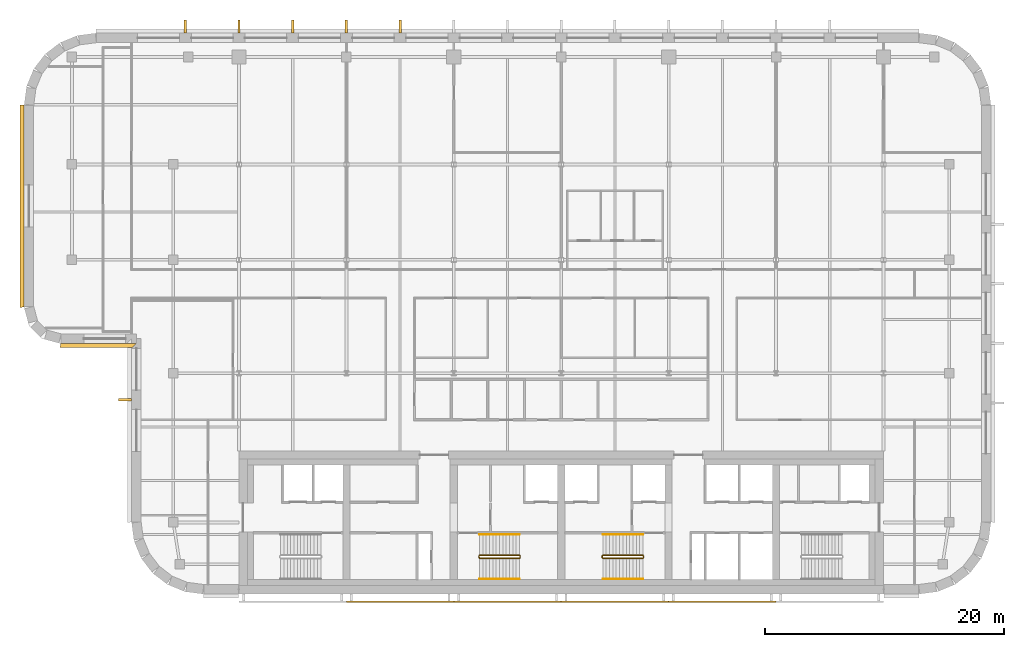
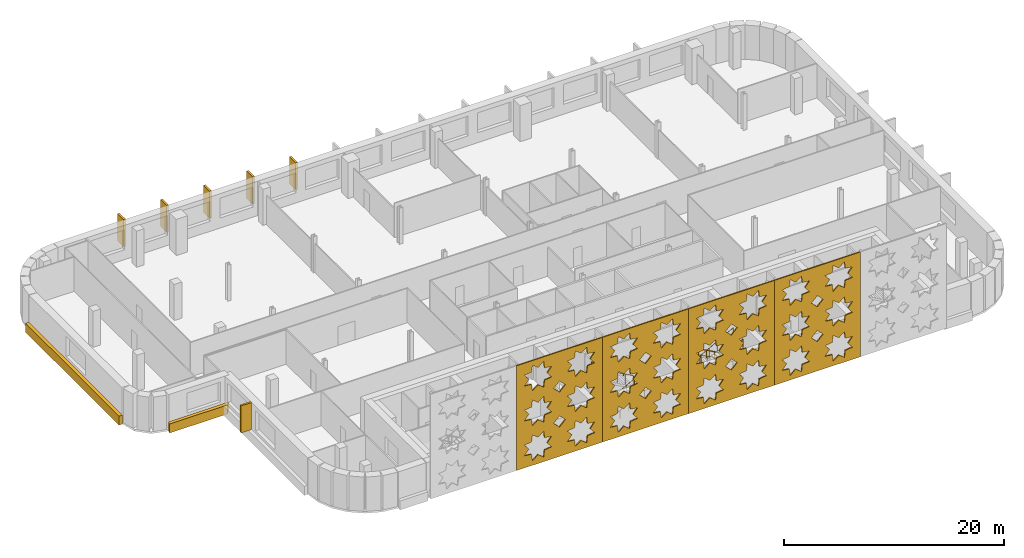
# One storey, part 14 of 17: 12 coverings, 6 railings.
"""IFC4 building model written with IfcOpenShell, lengths in metres."""

from ifc_helpers import new_model, si_unit, direction, frame, origin, origin_2d, place, context, subcontext, project, spatial, polyline, circle, outline, extrude, material, layer, layer_set, type_object, element, save


model = new_model("IFC4")

# Units and contexts
model_context = context("Model", 3, precision=1e-05, world=origin(), true_north=direction((0.0, 1.0)))
body_context = subcontext(model_context, "Body", "Model", "MODEL_VIEW")
ifc_project = project(units=[si_unit("LENGTHUNIT", "METRE"), si_unit("AREAUNIT", "SQUARE_METRE"), si_unit("VOLUMEUNIT", "CUBIC_METRE"), si_unit("PLANEANGLEUNIT", "RADIAN"), si_unit("MASSUNIT", "GRAM", prefix="KILO")], contexts=[model_context])

# Site, building, storey
site_placement = place(None, origin())
site = spatial("IfcSite", under=ifc_project, at=site_placement, CompositionType="ELEMENT")
building_placement = place(site_placement, origin())
building = spatial("IfcBuilding", under=site, at=building_placement, Name="Zellij Exchange Tower", CompositionType="ELEMENT")
storey_placement = place(building_placement, frame((0.0, 0.0, 252.5)))
storey = spatial("IfcBuildingStorey", under=building, at=storey_placement, Name="L59", CompositionType="ELEMENT", Elevation=252.5)

# Railings
ifc_material_1 = material(Name="Stainless steel", Category="steel")
railing_type_1 = type_object("IfcRailingType", Name="CORE-RG stair guard", PredefinedType="GUARDRAIL", material=ifc_material_1)
railing_1_placement = place(storey_placement, frame((-6.89990234375, -10.949951171875, 0.0)))
element("IfcRailing", 1, at=railing_1_placement, inside=storey, type_object=railing_type_1, Name="ST2 stair guard L59", PredefinedType="GUARDRAIL", context=body_context, shape_type="SweptSolid", body=[
    extrude(circle(Radius=0.02392578125, at=origin_2d()), frame((0.0, 0.0, 1.076171875), z_axis=(0.0, 1.0, 0.0), x_axis=(-1.0, 0.0, 0.0)), (0.0, 0.0, 1.0), 0.14990234375),
    extrude(circle(Radius=0.02392578125, at=origin_2d()), frame((0.0, 0.14990234375, 1.076171875), z_axis=(0.193691321961, -0.777613689637, 0.598164376644), x_axis=(0.970351222016, 0.241699205484, 0.0)), (0.0, 0.0, 1.0), 0.257080078125),
    extrude(circle(Radius=0.02392578125, at=origin_2d()), frame((0.0498046875, -0.050048828125, 1.22998046875), z_axis=(0.876421534553, 0.0, 0.481544695509), x_axis=(0.0, 1.0, 0.0)), (0.0, 0.0, 1.0), 3.833984375),
    extrude(circle(Radius=0.02392578125, at=origin_2d()), frame((3.409912109375, -0.050048828125, 3.076171875), z_axis=(0.707106781187, 0.707106781187, 0.0), x_axis=(-0.707106781187, 0.707106781187, 0.0)), (0.0, 0.0, 1.0), 0.07080078125),
    extrude(circle(Radius=0.02392578125, at=origin_2d()), frame((3.4599609375, 0.0, 3.076171875), z_axis=(0.0, 1.0, 0.0), x_axis=(-1.0, 0.0, 0.0)), (0.0, 0.0, 1.0), 0.14990234375),
    extrude(circle(Radius=0.02392578125, at=origin_2d()), frame((3.4599609375, 0.14990234375, 3.076171875), z_axis=(-0.295599637079, 0.295599637079, 0.908428152975), x_axis=(-0.707106781187, -0.707106781187, 0.0)), (0.0, 0.0, 1.0), 0.16943359375),
    extrude(circle(Radius=0.02392578125, at=origin_2d()), frame((3.409912109375, 0.199951171875, 3.22998046875), z_axis=(-0.876421534553, 0.0, 0.481544695509), x_axis=(0.0, -1.0, 0.0)), (0.0, 0.0, 1.0), 3.833984375),
    extrude(circle(Radius=0.02099609375, at=origin_2d()), origin(), (0.0, 0.0, 1.0), 1.052001953125),
    extrude(circle(Radius=0.02099609375, at=origin_2d()), frame((0.0, 0.14990234375, 0.0)), (0.0, 0.0, 1.0), 1.052001953125),
    extrude(circle(Radius=0.02099609375, at=origin_2d()), frame((0.0498046875, -0.050048828125, 0.15380859375)), (0.0, 0.0, 1.0), 1.052001953125),
    extrude(circle(Radius=0.02099609375, at=origin_2d()), frame((0.889892578125, -0.050048828125, 0.615234375)), (0.0, 0.0, 1.0), 1.052001953125),
    extrude(circle(Radius=0.02099609375, at=origin_2d()), frame((1.72998046875, -0.050048828125, 1.076904296875)), (0.0, 0.0, 1.0), 1.052001953125),
    extrude(circle(Radius=0.02099609375, at=origin_2d()), frame((2.56982421875, -0.050048828125, 1.53857421875)), (0.0, 0.0, 1.0), 1.052001953125),
    extrude(circle(Radius=0.02099609375, at=origin_2d()), frame((3.409912109375, -0.050048828125, 2.0)), (0.0, 0.0, 1.0), 1.052001953125),
    extrude(circle(Radius=0.02099609375, at=origin_2d()), frame((3.4599609375, 0.0, 2.0)), (0.0, 0.0, 1.0), 1.052001953125),
    extrude(circle(Radius=0.02099609375, at=origin_2d()), frame((3.4599609375, 0.14990234375, 2.0)), (0.0, 0.0, 1.0), 1.052001953125),
    extrude(circle(Radius=0.02099609375, at=origin_2d()), frame((3.409912109375, 0.199951171875, 2.15380859375)), (0.0, 0.0, 1.0), 1.052001953125),
    extrude(circle(Radius=0.02099609375, at=origin_2d()), frame((2.56982421875, 0.199951171875, 2.615234375)), (0.0, 0.0, 1.0), 1.052001953125),
    extrude(circle(Radius=0.02099609375, at=origin_2d()), frame((1.72998046875, 0.199951171875, 3.076904296875)), (0.0, 0.0, 1.0), 1.052001953125),
    extrude(circle(Radius=0.02099609375, at=origin_2d()), frame((0.889892578125, 0.199951171875, 3.53857421875)), (0.0, 0.0, 1.0), 1.052001953125),
    extrude(circle(Radius=0.02099609375, at=origin_2d()), frame((0.0498046875, 0.199951171875, 4.0)), (0.0, 0.0, 1.0), 1.052001953125),
])
railing_2_placement = place(storey_placement, frame((6.89990234375, -10.800048828125, 0.0)))
element("IfcRailing", 2, at=railing_2_placement, inside=storey, type_object=railing_type_1, Name="ST3 stair guard L59", PredefinedType="GUARDRAIL", context=body_context, shape_type="SweptSolid", body=[
    extrude(circle(Radius=0.02392578125, at=origin_2d()), frame((0.0, 0.0, 1.076171875), z_axis=(0.0, -1.0, 0.0), x_axis=(1.0, 0.0, 0.0)), (0.0, 0.0, 1.0), 0.14990234375),
    extrude(circle(Radius=0.02392578125, at=origin_2d()), frame((0.0, -0.14990234375, 1.076171875), z_axis=(-0.193691321961, 0.777613689637, 0.598164376644), x_axis=(-0.970351222016, -0.241699205484, 0.0)), (0.0, 0.0, 1.0), 0.257080078125),
    extrude(circle(Radius=0.02392578125, at=origin_2d()), frame((-0.0498046875, 0.050048828125, 1.22998046875), z_axis=(-0.876421534553, 0.0, 0.481544695509), x_axis=(0.0, -1.0, 0.0)), (0.0, 0.0, 1.0), 3.833984375),
    extrude(circle(Radius=0.02392578125, at=origin_2d()), frame((-3.409912109375, 0.050048828125, 3.076171875), z_axis=(-0.707106781187, -0.707106781187, 0.0), x_axis=(0.707106781187, -0.707106781187, 0.0)), (0.0, 0.0, 1.0), 0.07080078125),
    extrude(circle(Radius=0.02392578125, at=origin_2d()), frame((-3.4599609375, 0.0, 3.076171875), z_axis=(0.0, -1.0, 0.0), x_axis=(1.0, 0.0, 0.0)), (0.0, 0.0, 1.0), 0.14990234375),
    extrude(circle(Radius=0.02392578125, at=origin_2d()), frame((-3.4599609375, -0.14990234375, 3.076171875), z_axis=(0.295599637079, -0.295599637079, 0.908428152975), x_axis=(0.707106781187, 0.707106781187, 0.0)), (0.0, 0.0, 1.0), 0.16943359375),
    extrude(circle(Radius=0.02392578125, at=origin_2d()), frame((-3.409912109375, -0.199951171875, 3.22998046875), z_axis=(0.876421534553, 0.0, 0.481544695509), x_axis=(0.0, 1.0, 0.0)), (0.0, 0.0, 1.0), 3.833984375),
    extrude(circle(Radius=0.02099609375, at=origin_2d()), origin(), (0.0, 0.0, 1.0), 1.052001953125),
    extrude(circle(Radius=0.02099609375, at=origin_2d()), frame((0.0, -0.14990234375, 0.0)), (0.0, 0.0, 1.0), 1.052001953125),
    extrude(circle(Radius=0.02099609375, at=origin_2d()), frame((-0.0498046875, 0.050048828125, 0.15380859375)), (0.0, 0.0, 1.0), 1.052001953125),
    extrude(circle(Radius=0.02099609375, at=origin_2d()), frame((-0.889892578125, 0.050048828125, 0.615234375)), (0.0, 0.0, 1.0), 1.052001953125),
    extrude(circle(Radius=0.02099609375, at=origin_2d()), frame((-1.72998046875, 0.050048828125, 1.076904296875)), (0.0, 0.0, 1.0), 1.052001953125),
    extrude(circle(Radius=0.02099609375, at=origin_2d()), frame((-2.56982421875, 0.050048828125, 1.53857421875)), (0.0, 0.0, 1.0), 1.052001953125),
    extrude(circle(Radius=0.02099609375, at=origin_2d()), frame((-3.409912109375, 0.050048828125, 2.0)), (0.0, 0.0, 1.0), 1.052001953125),
    extrude(circle(Radius=0.02099609375, at=origin_2d()), frame((-3.4599609375, 0.0, 2.0)), (0.0, 0.0, 1.0), 1.052001953125),
    extrude(circle(Radius=0.02099609375, at=origin_2d()), frame((-3.4599609375, -0.14990234375, 2.0)), (0.0, 0.0, 1.0), 1.052001953125),
    extrude(circle(Radius=0.02099609375, at=origin_2d()), frame((-3.409912109375, -0.199951171875, 2.15380859375)), (0.0, 0.0, 1.0), 1.052001953125),
    extrude(circle(Radius=0.02099609375, at=origin_2d()), frame((-2.56982421875, -0.199951171875, 2.615234375)), (0.0, 0.0, 1.0), 1.052001953125),
    extrude(circle(Radius=0.02099609375, at=origin_2d()), frame((-1.72998046875, -0.199951171875, 3.076904296875)), (0.0, 0.0, 1.0), 1.052001953125),
    extrude(circle(Radius=0.02099609375, at=origin_2d()), frame((-0.889892578125, -0.199951171875, 3.53857421875)), (0.0, 0.0, 1.0), 1.052001953125),
    extrude(circle(Radius=0.02099609375, at=origin_2d()), frame((-0.0498046875, -0.199951171875, 4.0)), (0.0, 0.0, 1.0), 1.052001953125),
])
railing_type_2 = type_object("IfcRailingType", Name="CORE-RH stair handrail", PredefinedType="HANDRAIL", material=ifc_material_1)
railing_3_placement = place(storey_placement, frame((-6.85009765625, -12.75, 0.15380859375)))
element("IfcRailing", 3, at=railing_3_placement, inside=storey, type_object=railing_type_2, Name="ST2 stair handrail L59", PredefinedType="HANDRAIL", context=body_context, shape_type="SweptSolid", body=[
    extrude(circle(Radius=0.02392578125, at=origin_2d()), frame((0.0, 0.0, 0.8759765625), z_axis=(0.876421534553, 0.0, 0.481544695509), x_axis=(0.0, 1.0, 0.0)), (0.0, 0.0, 1.0), 3.833984375),
    extrude(circle(Radius=0.02099609375, at=origin_2d()), origin(), (0.0, 0.0, 1.0), 0.851806640625),
    extrude(circle(Radius=0.02099609375, at=origin_2d()), frame((0.840087890625, 0.0, 0.46142578125)), (0.0, 0.0, 1.0), 0.851806640625),
    extrude(circle(Radius=0.02099609375, at=origin_2d()), frame((1.68017578125, 0.0, 0.923095703125)), (0.0, 0.0, 1.0), 0.851806640625),
    extrude(circle(Radius=0.02099609375, at=origin_2d()), frame((2.52001953125, 0.0, 1.384765625)), (0.0, 0.0, 1.0), 0.851806640625),
    extrude(circle(Radius=0.02099609375, at=origin_2d()), frame((3.360107421875, 0.0, 1.84619140625)), (0.0, 0.0, 1.0), 0.851806640625),
])
for number, where, name in (
    (4, (-3.489990234375, -9.0, 2.15380859375), "ST2 stair handrail L59"),
    (5, (6.85009765625, -9.0, 0.15380859375), "ST3 stair handrail L59"),
):
    element("IfcRailing", number, at=place(storey_placement, frame(where)), inside=storey, type_object=railing_type_2, Name=name, PredefinedType="HANDRAIL", context=body_context, shape_type="SweptSolid", body=[
        extrude(circle(Radius=0.02392578125, at=origin_2d()), frame((0.0, 0.0, 0.8759765625), z_axis=(-0.876421534553, 0.0, 0.481544695509), x_axis=(0.0, -1.0, 0.0)), (0.0, 0.0, 1.0), 3.833984375),
        extrude(circle(Radius=0.02099609375, at=origin_2d()), origin(), (0.0, 0.0, 1.0), 0.851806640625),
        extrude(circle(Radius=0.02099609375, at=origin_2d()), frame((-0.840087890625, 0.0, 0.46142578125)), (0.0, 0.0, 1.0), 0.851806640625),
        extrude(circle(Radius=0.02099609375, at=origin_2d()), frame((-1.68017578125, 0.0, 0.923095703125)), (0.0, 0.0, 1.0), 0.851806640625),
        extrude(circle(Radius=0.02099609375, at=origin_2d()), frame((-2.52001953125, 0.0, 1.384765625)), (0.0, 0.0, 1.0), 0.851806640625),
        extrude(circle(Radius=0.02099609375, at=origin_2d()), frame((-3.360107421875, 0.0, 1.84619140625)), (0.0, 0.0, 1.0), 0.851806640625),
    ])
railing_4_placement = place(storey_placement, frame((3.489990234375, -12.75, 2.15380859375)))
element("IfcRailing", 6, at=railing_4_placement, inside=storey, type_object=railing_type_2, Name="ST3 stair handrail L59", PredefinedType="HANDRAIL", context=body_context, shape_type="SweptSolid", body=[
    extrude(circle(Radius=0.02392578125, at=origin_2d()), frame((0.0, 0.0, 0.8759765625), z_axis=(0.876421534553, 0.0, 0.481544695509), x_axis=(0.0, 1.0, 0.0)), (0.0, 0.0, 1.0), 3.833984375),
    extrude(circle(Radius=0.02099609375, at=origin_2d()), origin(), (0.0, 0.0, 1.0), 0.851806640625),
    extrude(circle(Radius=0.02099609375, at=origin_2d()), frame((0.840087890625, 0.0, 0.46142578125)), (0.0, 0.0, 1.0), 0.851806640625),
    extrude(circle(Radius=0.02099609375, at=origin_2d()), frame((1.68017578125, 0.0, 0.923095703125)), (0.0, 0.0, 1.0), 0.851806640625),
    extrude(circle(Radius=0.02099609375, at=origin_2d()), frame((2.52001953125, 0.0, 1.384765625)), (0.0, 0.0, 1.0), 0.851806640625),
    extrude(circle(Radius=0.02099609375, at=origin_2d()), frame((3.360107421875, 0.0, 1.84619140625)), (0.0, 0.0, 1.0), 0.851806640625),
])

# Coverings
ifc_material_2 = material(Name="Limestone cladding", Category="masonry")
ifc_layer_1 = layer(ifc_material_2, 0.35009765625)
ifc_layer_set_1 = layer_set([ifc_layer_1], Name="Limestone cladding")
covering_type_1 = type_object("IfcCoveringType", Name="ENV-CV10 Stone spandrel band 350", PredefinedType="CLADDING", material=ifc_layer_set_1)
covering_1_placement = place(storey_placement, frame((0.0, 0.0, -0.199951171875)))
element("IfcCovering", 7, at=covering_1_placement, inside=storey, type_object=covering_type_1, Name="Stone spandrel band", PredefinedType="CLADDING", context=body_context, shape_type="SweptSolid", body=[
    extrude(outline(polyline([(-45.0, 26.973876953125), (-45.0, 10.052734375), (-45.35009765625, 10.006591796875), (-45.35009765625, 26.99658203125), (-45.0, 26.973876953125)])), origin(), (0.0, 0.0, 1.0), 1.0),
])
covering_2_placement = place(storey_placement, frame((0.0, 0.0, -0.199951171875)))
element("IfcCovering", 8, at=covering_2_placement, inside=storey, type_object=covering_type_1, Name="Stone spandrel band", PredefinedType="CLADDING", context=body_context, shape_type="SweptSolid", body=[
    extrude(outline(polyline([(-41.947265625, 7.0), (-35.60009765625, 7.0), (-35.949951171875, 6.64990234375), (-41.993408203125, 6.64990234375), (-41.947265625, 7.0)])), origin(), (0.0, 0.0, 1.0), 1.0),
])
covering_type_2 = type_object("IfcCoveringType", Name="ENV-CV6 Stone pier 200x1100", PredefinedType="CLADDING", material=ifc_material_2)
covering_3_placement = place(storey_placement, frame((0.0, 0.0, 0.800048828125)))
element("IfcCovering", 9, at=covering_3_placement, inside=storey, type_object=covering_type_2, Name="Stone pier", PredefinedType="CLADDING", context=body_context, shape_type="SweptSolid", body=[
    extrude(outline(polyline([(-13.39990234375, 33.0), (-13.60009765625, 33.0), (-13.60009765625, 34.10009765625), (-13.39990234375, 34.10009765625), (-13.39990234375, 33.0)])), origin(), (0.0, 0.0, 1.0), 3.0),
])
covering_4_placement = place(storey_placement, frame((0.0, 0.0, 0.800048828125)))
element("IfcCovering", 10, at=covering_4_placement, inside=storey, type_object=covering_type_2, Name="Stone pier", PredefinedType="CLADDING", context=body_context, shape_type="SweptSolid", body=[
    extrude(outline(polyline([(-17.89990234375, 33.0), (-18.10009765625, 33.0), (-18.10009765625, 34.10009765625), (-17.89990234375, 34.10009765625), (-17.89990234375, 33.0)])), origin(), (0.0, 0.0, 1.0), 3.0),
])
covering_5_placement = place(storey_placement, frame((0.0, 0.0, 0.800048828125)))
element("IfcCovering", 11, at=covering_5_placement, inside=storey, type_object=covering_type_2, Name="Stone pier", PredefinedType="CLADDING", context=body_context, shape_type="SweptSolid", body=[
    extrude(outline(polyline([(-22.39990234375, 33.0), (-22.60009765625, 33.0), (-22.60009765625, 34.10009765625), (-22.39990234375, 34.10009765625), (-22.39990234375, 33.0)])), origin(), (0.0, 0.0, 1.0), 3.0),
])
covering_6_placement = place(storey_placement, frame((0.0, 0.0, 0.800048828125)))
element("IfcCovering", 12, at=covering_6_placement, inside=storey, type_object=covering_type_2, Name="Stone pier", PredefinedType="CLADDING", context=body_context, shape_type="SweptSolid", body=[
    extrude(outline(polyline([(-26.89990234375, 33.0), (-27.10009765625, 33.0), (-27.10009765625, 34.10009765625), (-26.89990234375, 34.10009765625), (-26.89990234375, 33.0)])), origin(), (0.0, 0.0, 1.0), 3.0),
])
covering_7_placement = place(storey_placement, frame((0.0, 0.0, 0.800048828125)))
element("IfcCovering", 13, at=covering_7_placement, inside=storey, type_object=covering_type_2, Name="Stone pier", PredefinedType="CLADDING", context=body_context, shape_type="SweptSolid", body=[
    extrude(outline(polyline([(-31.39990234375, 33.0), (-31.60009765625, 33.0), (-31.60009765625, 34.10009765625), (-31.39990234375, 34.10009765625), (-31.39990234375, 33.0)])), origin(), (0.0, 0.0, 1.0), 3.0),
])
covering_8_placement = place(storey_placement, frame((0.0, 0.0, 0.800048828125)))
element("IfcCovering", 14, at=covering_8_placement, inside=storey, type_object=covering_type_2, Name="Stone pier", PredefinedType="CLADDING", context=body_context, shape_type="SweptSolid", body=[
    extrude(outline(polyline([(-36.0, 2.37548828125), (-36.0, 2.17529296875), (-37.10009765625, 2.17529296875), (-37.10009765625, 2.37548828125), (-36.0, 2.37548828125)])), origin(), (0.0, 0.0, 1.0), 3.0),
])
ifc_material_3 = material(Name="Limestone screen", Category="masonry")
ifc_layer_2 = layer(ifc_material_3, 0.1201171875)
ifc_layer_set_2 = layer_set([ifc_layer_2], Name="Limestone screen")
covering_type_3 = type_object("IfcCoveringType", Name="ENV-SC5 Pierced stone relief 120", PredefinedType="USERDEFINED", material=ifc_layer_set_2)
covering_9_placement = place(storey_placement, frame((-18.0, -14.659912109375, 0.199951171875), z_axis=(0.0, 0.0, 1.0), x_axis=(1.0, 0.0, 0.0)))
element("IfcCovering", 15, at=covering_9_placement, inside=storey, type_object=covering_type_3, Name="Pierced stone relief", ObjectType="SCREEN", PredefinedType="USERDEFINED", context=body_context, shape_type="SweptSolid", body=[
    extrude(outline(polyline([(0.0, 0.0), (9.0, 0.0), (9.0, 11.60009765625), (0.0, 11.60009765625), (0.0, 0.0)]), holes=[polyline([(3.678955078125, 2.525146484375), (2.927978515625, 2.611328125), (2.841796875, 3.3623046875), (2.25, 2.892333984375), (1.658203125, 3.3623046875), (1.572021484375, 2.611328125), (0.821044921875, 2.525146484375), (1.291015625, 1.933349609375), (0.821044921875, 1.34130859375), (1.572021484375, 1.25537109375), (1.658203125, 0.50439453125), (2.25, 0.974365234375), (2.841796875, 0.50439453125), (2.927978515625, 1.25537109375), (3.678955078125, 1.34130859375), (3.208984375, 1.933349609375), (3.678955078125, 2.525146484375)]), polyline([(3.678955078125, 6.391845703125), (2.927978515625, 6.47802734375), (2.841796875, 7.22900390625), (2.25, 6.7587890625), (1.658203125, 7.22900390625), (1.572021484375, 6.47802734375), (0.821044921875, 6.391845703125), (1.291015625, 5.800048828125), (0.821044921875, 5.2080078125), (1.572021484375, 5.121826171875), (1.658203125, 4.37109375), (2.25, 4.841064453125), (2.841796875, 4.37109375), (2.927978515625, 5.121826171875), (3.678955078125, 5.2080078125), (3.208984375, 5.800048828125), (3.678955078125, 6.391845703125)]), polyline([(3.678955078125, 10.258544921875), (2.927978515625, 10.3447265625), (2.841796875, 11.095703125), (2.25, 10.62548828125), (1.658203125, 11.095703125), (1.572021484375, 10.3447265625), (0.821044921875, 10.258544921875), (1.291015625, 9.666748046875), (0.821044921875, 9.07470703125), (1.572021484375, 8.988525390625), (1.658203125, 8.23779296875), (2.25, 8.707763671875), (2.841796875, 8.23779296875), (2.927978515625, 8.988525390625), (3.678955078125, 9.07470703125), (3.208984375, 9.666748046875), (3.678955078125, 10.258544921875)]), polyline([(8.178955078125, 2.525146484375), (7.427978515625, 2.611328125), (7.341796875, 3.3623046875), (6.75, 2.892333984375), (6.158203125, 3.3623046875), (6.072021484375, 2.611328125), (5.321044921875, 2.525146484375), (5.791015625, 1.933349609375), (5.321044921875, 1.34130859375), (6.072021484375, 1.25537109375), (6.158203125, 0.50439453125), (6.75, 0.974365234375), (7.341796875, 0.50439453125), (7.427978515625, 1.25537109375), (8.178955078125, 1.34130859375), (7.708984375, 1.933349609375), (8.178955078125, 2.525146484375)]), polyline([(8.178955078125, 6.391845703125), (7.427978515625, 6.47802734375), (7.341796875, 7.22900390625), (6.75, 6.7587890625), (6.158203125, 7.22900390625), (6.072021484375, 6.47802734375), (5.321044921875, 6.391845703125), (5.791015625, 5.800048828125), (5.321044921875, 5.2080078125), (6.072021484375, 5.121826171875), (6.158203125, 4.37109375), (6.75, 4.841064453125), (7.341796875, 4.37109375), (7.427978515625, 5.121826171875), (8.178955078125, 5.2080078125), (7.708984375, 5.800048828125), (8.178955078125, 6.391845703125)]), polyline([(8.178955078125, 10.258544921875), (7.427978515625, 10.3447265625), (7.341796875, 11.095703125), (6.75, 10.62548828125), (6.158203125, 11.095703125), (6.072021484375, 10.3447265625), (5.321044921875, 10.258544921875), (5.791015625, 9.666748046875), (5.321044921875, 9.07470703125), (6.072021484375, 8.988525390625), (6.158203125, 8.23779296875), (6.75, 8.707763671875), (7.341796875, 8.23779296875), (7.427978515625, 8.988525390625), (8.178955078125, 9.07470703125), (7.708984375, 9.666748046875), (8.178955078125, 10.258544921875)]), polyline([(5.11865234375, 3.86669921875), (4.5, 4.4853515625), (3.88134765625, 3.86669921875), (4.5, 3.248046875), (5.11865234375, 3.86669921875)]), polyline([(5.11865234375, 7.7333984375), (4.5, 8.35205078125), (3.88134765625, 7.7333984375), (4.5, 7.11474609375), (5.11865234375, 7.7333984375)])]), frame((0.0, 0.06005859375, 0.0), z_axis=(0.0, -1.0, 0.0), x_axis=(1.0, 0.0, 0.0)), (0.0, 0.0, 1.0), 0.1201171875),
])
covering_10_placement = place(storey_placement, frame((-9.0, -14.659912109375, 0.199951171875), z_axis=(0.0, 0.0, 1.0), x_axis=(1.0, 0.0, 0.0)))
element("IfcCovering", 16, at=covering_10_placement, inside=storey, type_object=covering_type_3, Name="Pierced stone relief", ObjectType="SCREEN", PredefinedType="USERDEFINED", context=body_context, shape_type="SweptSolid", body=[
    extrude(outline(polyline([(0.0, 0.0), (9.0, 0.0), (9.0, 11.60009765625), (0.0, 11.60009765625), (0.0, 0.0)]), holes=[polyline([(3.678955078125, 2.525146484375), (2.927978515625, 2.611328125), (2.841796875, 3.3623046875), (2.25, 2.892333984375), (1.658203125, 3.3623046875), (1.572021484375, 2.611328125), (0.821044921875, 2.525146484375), (1.291015625, 1.933349609375), (0.821044921875, 1.34130859375), (1.572021484375, 1.25537109375), (1.658203125, 0.50439453125), (2.25, 0.974365234375), (2.841796875, 0.50439453125), (2.927978515625, 1.25537109375), (3.678955078125, 1.34130859375), (3.208984375, 1.933349609375), (3.678955078125, 2.525146484375)]), polyline([(3.678955078125, 6.391845703125), (2.927978515625, 6.47802734375), (2.841796875, 7.22900390625), (2.25, 6.7587890625), (1.658203125, 7.22900390625), (1.572021484375, 6.47802734375), (0.821044921875, 6.391845703125), (1.291015625, 5.800048828125), (0.821044921875, 5.2080078125), (1.572021484375, 5.121826171875), (1.658203125, 4.37109375), (2.25, 4.841064453125), (2.841796875, 4.37109375), (2.927978515625, 5.121826171875), (3.678955078125, 5.2080078125), (3.208984375, 5.800048828125), (3.678955078125, 6.391845703125)]), polyline([(3.678955078125, 10.258544921875), (2.927978515625, 10.3447265625), (2.841796875, 11.095703125), (2.25, 10.62548828125), (1.658203125, 11.095703125), (1.572021484375, 10.3447265625), (0.821044921875, 10.258544921875), (1.291015625, 9.666748046875), (0.821044921875, 9.07470703125), (1.572021484375, 8.988525390625), (1.658203125, 8.23779296875), (2.25, 8.707763671875), (2.841796875, 8.23779296875), (2.927978515625, 8.988525390625), (3.678955078125, 9.07470703125), (3.208984375, 9.666748046875), (3.678955078125, 10.258544921875)]), polyline([(8.178955078125, 2.525146484375), (7.427978515625, 2.611328125), (7.341796875, 3.3623046875), (6.75, 2.892333984375), (6.158203125, 3.3623046875), (6.072021484375, 2.611328125), (5.321044921875, 2.525146484375), (5.791015625, 1.933349609375), (5.321044921875, 1.34130859375), (6.072021484375, 1.25537109375), (6.158203125, 0.50439453125), (6.75, 0.974365234375), (7.341796875, 0.50439453125), (7.427978515625, 1.25537109375), (8.178955078125, 1.34130859375), (7.708984375, 1.933349609375), (8.178955078125, 2.525146484375)]), polyline([(8.178955078125, 6.391845703125), (7.427978515625, 6.47802734375), (7.341796875, 7.22900390625), (6.75, 6.7587890625), (6.158203125, 7.22900390625), (6.072021484375, 6.47802734375), (5.321044921875, 6.391845703125), (5.791015625, 5.800048828125), (5.321044921875, 5.2080078125), (6.072021484375, 5.121826171875), (6.158203125, 4.37109375), (6.75, 4.841064453125), (7.341796875, 4.37109375), (7.427978515625, 5.121826171875), (8.178955078125, 5.2080078125), (7.708984375, 5.800048828125), (8.178955078125, 6.391845703125)]), polyline([(8.178955078125, 10.258544921875), (7.427978515625, 10.3447265625), (7.341796875, 11.095703125), (6.75, 10.62548828125), (6.158203125, 11.095703125), (6.072021484375, 10.3447265625), (5.321044921875, 10.258544921875), (5.791015625, 9.666748046875), (5.321044921875, 9.07470703125), (6.072021484375, 8.988525390625), (6.158203125, 8.23779296875), (6.75, 8.707763671875), (7.341796875, 8.23779296875), (7.427978515625, 8.988525390625), (8.178955078125, 9.07470703125), (7.708984375, 9.666748046875), (8.178955078125, 10.258544921875)]), polyline([(5.11865234375, 3.86669921875), (4.5, 4.4853515625), (3.88134765625, 3.86669921875), (4.5, 3.248046875), (5.11865234375, 3.86669921875)]), polyline([(5.11865234375, 7.7333984375), (4.5, 8.35205078125), (3.88134765625, 7.7333984375), (4.5, 7.11474609375), (5.11865234375, 7.7333984375)])]), frame((0.0, 0.06005859375, 0.0), z_axis=(0.0, -1.0, 0.0), x_axis=(1.0, 0.0, 0.0)), (0.0, 0.0, 1.0), 0.1201171875),
])
covering_11_placement = place(storey_placement, frame((0.0, -14.659912109375, 0.199951171875), z_axis=(0.0, 0.0, 1.0), x_axis=(1.0, 0.0, 0.0)))
element("IfcCovering", 17, at=covering_11_placement, inside=storey, type_object=covering_type_3, Name="Pierced stone relief", ObjectType="SCREEN", PredefinedType="USERDEFINED", context=body_context, shape_type="SweptSolid", body=[
    extrude(outline(polyline([(0.0, 0.0), (9.0, 0.0), (9.0, 11.60009765625), (0.0, 11.60009765625), (0.0, 0.0)]), holes=[polyline([(3.678955078125, 2.525146484375), (2.927978515625, 2.611328125), (2.841796875, 3.3623046875), (2.25, 2.892333984375), (1.658203125, 3.3623046875), (1.572021484375, 2.611328125), (0.821044921875, 2.525146484375), (1.291015625, 1.933349609375), (0.821044921875, 1.34130859375), (1.572021484375, 1.25537109375), (1.658203125, 0.50439453125), (2.25, 0.974365234375), (2.841796875, 0.50439453125), (2.927978515625, 1.25537109375), (3.678955078125, 1.34130859375), (3.208984375, 1.933349609375), (3.678955078125, 2.525146484375)]), polyline([(3.678955078125, 6.391845703125), (2.927978515625, 6.47802734375), (2.841796875, 7.22900390625), (2.25, 6.7587890625), (1.658203125, 7.22900390625), (1.572021484375, 6.47802734375), (0.821044921875, 6.391845703125), (1.291015625, 5.800048828125), (0.821044921875, 5.2080078125), (1.572021484375, 5.121826171875), (1.658203125, 4.37109375), (2.25, 4.841064453125), (2.841796875, 4.37109375), (2.927978515625, 5.121826171875), (3.678955078125, 5.2080078125), (3.208984375, 5.800048828125), (3.678955078125, 6.391845703125)]), polyline([(3.678955078125, 10.258544921875), (2.927978515625, 10.3447265625), (2.841796875, 11.095703125), (2.25, 10.62548828125), (1.658203125, 11.095703125), (1.572021484375, 10.3447265625), (0.821044921875, 10.258544921875), (1.291015625, 9.666748046875), (0.821044921875, 9.07470703125), (1.572021484375, 8.988525390625), (1.658203125, 8.23779296875), (2.25, 8.707763671875), (2.841796875, 8.23779296875), (2.927978515625, 8.988525390625), (3.678955078125, 9.07470703125), (3.208984375, 9.666748046875), (3.678955078125, 10.258544921875)]), polyline([(8.178955078125, 2.525146484375), (7.427978515625, 2.611328125), (7.341796875, 3.3623046875), (6.75, 2.892333984375), (6.158203125, 3.3623046875), (6.072021484375, 2.611328125), (5.321044921875, 2.525146484375), (5.791015625, 1.933349609375), (5.321044921875, 1.34130859375), (6.072021484375, 1.25537109375), (6.158203125, 0.50439453125), (6.75, 0.974365234375), (7.341796875, 0.50439453125), (7.427978515625, 1.25537109375), (8.178955078125, 1.34130859375), (7.708984375, 1.933349609375), (8.178955078125, 2.525146484375)]), polyline([(8.178955078125, 6.391845703125), (7.427978515625, 6.47802734375), (7.341796875, 7.22900390625), (6.75, 6.7587890625), (6.158203125, 7.22900390625), (6.072021484375, 6.47802734375), (5.321044921875, 6.391845703125), (5.791015625, 5.800048828125), (5.321044921875, 5.2080078125), (6.072021484375, 5.121826171875), (6.158203125, 4.37109375), (6.75, 4.841064453125), (7.341796875, 4.37109375), (7.427978515625, 5.121826171875), (8.178955078125, 5.2080078125), (7.708984375, 5.800048828125), (8.178955078125, 6.391845703125)]), polyline([(8.178955078125, 10.258544921875), (7.427978515625, 10.3447265625), (7.341796875, 11.095703125), (6.75, 10.62548828125), (6.158203125, 11.095703125), (6.072021484375, 10.3447265625), (5.321044921875, 10.258544921875), (5.791015625, 9.666748046875), (5.321044921875, 9.07470703125), (6.072021484375, 8.988525390625), (6.158203125, 8.23779296875), (6.75, 8.707763671875), (7.341796875, 8.23779296875), (7.427978515625, 8.988525390625), (8.178955078125, 9.07470703125), (7.708984375, 9.666748046875), (8.178955078125, 10.258544921875)]), polyline([(5.11865234375, 3.86669921875), (4.5, 4.4853515625), (3.88134765625, 3.86669921875), (4.5, 3.248046875), (5.11865234375, 3.86669921875)]), polyline([(5.11865234375, 7.7333984375), (4.5, 8.35205078125), (3.88134765625, 7.7333984375), (4.5, 7.11474609375), (5.11865234375, 7.7333984375)])]), frame((0.0, 0.06005859375, 0.0), z_axis=(0.0, -1.0, 0.0), x_axis=(1.0, 0.0, 0.0)), (0.0, 0.0, 1.0), 0.1201171875),
])
covering_12_placement = place(storey_placement, frame((9.0, -14.659912109375, 0.199951171875), z_axis=(0.0, 0.0, 1.0), x_axis=(1.0, 0.0, 0.0)))
element("IfcCovering", 18, at=covering_12_placement, inside=storey, type_object=covering_type_3, Name="Pierced stone relief", ObjectType="SCREEN", PredefinedType="USERDEFINED", context=body_context, shape_type="SweptSolid", body=[
    extrude(outline(polyline([(0.0, 0.0), (9.0, 0.0), (9.0, 11.60009765625), (0.0, 11.60009765625), (0.0, 0.0)]), holes=[polyline([(3.678955078125, 2.525146484375), (2.927978515625, 2.611328125), (2.841796875, 3.3623046875), (2.25, 2.892333984375), (1.658203125, 3.3623046875), (1.572021484375, 2.611328125), (0.821044921875, 2.525146484375), (1.291015625, 1.933349609375), (0.821044921875, 1.34130859375), (1.572021484375, 1.25537109375), (1.658203125, 0.50439453125), (2.25, 0.974365234375), (2.841796875, 0.50439453125), (2.927978515625, 1.25537109375), (3.678955078125, 1.34130859375), (3.208984375, 1.933349609375), (3.678955078125, 2.525146484375)]), polyline([(3.678955078125, 6.391845703125), (2.927978515625, 6.47802734375), (2.841796875, 7.22900390625), (2.25, 6.7587890625), (1.658203125, 7.22900390625), (1.572021484375, 6.47802734375), (0.821044921875, 6.391845703125), (1.291015625, 5.800048828125), (0.821044921875, 5.2080078125), (1.572021484375, 5.121826171875), (1.658203125, 4.37109375), (2.25, 4.841064453125), (2.841796875, 4.37109375), (2.927978515625, 5.121826171875), (3.678955078125, 5.2080078125), (3.208984375, 5.800048828125), (3.678955078125, 6.391845703125)]), polyline([(3.678955078125, 10.258544921875), (2.927978515625, 10.3447265625), (2.841796875, 11.095703125), (2.25, 10.62548828125), (1.658203125, 11.095703125), (1.572021484375, 10.3447265625), (0.821044921875, 10.258544921875), (1.291015625, 9.666748046875), (0.821044921875, 9.07470703125), (1.572021484375, 8.988525390625), (1.658203125, 8.23779296875), (2.25, 8.707763671875), (2.841796875, 8.23779296875), (2.927978515625, 8.988525390625), (3.678955078125, 9.07470703125), (3.208984375, 9.666748046875), (3.678955078125, 10.258544921875)]), polyline([(8.178955078125, 2.525146484375), (7.427978515625, 2.611328125), (7.341796875, 3.3623046875), (6.75, 2.892333984375), (6.158203125, 3.3623046875), (6.072021484375, 2.611328125), (5.321044921875, 2.525146484375), (5.791015625, 1.933349609375), (5.321044921875, 1.34130859375), (6.072021484375, 1.25537109375), (6.158203125, 0.50439453125), (6.75, 0.974365234375), (7.341796875, 0.50439453125), (7.427978515625, 1.25537109375), (8.178955078125, 1.34130859375), (7.708984375, 1.933349609375), (8.178955078125, 2.525146484375)]), polyline([(8.178955078125, 6.391845703125), (7.427978515625, 6.47802734375), (7.341796875, 7.22900390625), (6.75, 6.7587890625), (6.158203125, 7.22900390625), (6.072021484375, 6.47802734375), (5.321044921875, 6.391845703125), (5.791015625, 5.800048828125), (5.321044921875, 5.2080078125), (6.072021484375, 5.121826171875), (6.158203125, 4.37109375), (6.75, 4.841064453125), (7.341796875, 4.37109375), (7.427978515625, 5.121826171875), (8.178955078125, 5.2080078125), (7.708984375, 5.800048828125), (8.178955078125, 6.391845703125)]), polyline([(8.178955078125, 10.258544921875), (7.427978515625, 10.3447265625), (7.341796875, 11.095703125), (6.75, 10.62548828125), (6.158203125, 11.095703125), (6.072021484375, 10.3447265625), (5.321044921875, 10.258544921875), (5.791015625, 9.666748046875), (5.321044921875, 9.07470703125), (6.072021484375, 8.988525390625), (6.158203125, 8.23779296875), (6.75, 8.707763671875), (7.341796875, 8.23779296875), (7.427978515625, 8.988525390625), (8.178955078125, 9.07470703125), (7.708984375, 9.666748046875), (8.178955078125, 10.258544921875)]), polyline([(5.11865234375, 3.86669921875), (4.5, 4.4853515625), (3.88134765625, 3.86669921875), (4.5, 3.248046875), (5.11865234375, 3.86669921875)]), polyline([(5.11865234375, 7.7333984375), (4.5, 8.35205078125), (3.88134765625, 7.7333984375), (4.5, 7.11474609375), (5.11865234375, 7.7333984375)])]), frame((0.0, 0.06005859375, 0.0), z_axis=(0.0, -1.0, 0.0), x_axis=(1.0, 0.0, 0.0)), (0.0, 0.0, 1.0), 0.1201171875),
])

save(model, "model.ifc")
